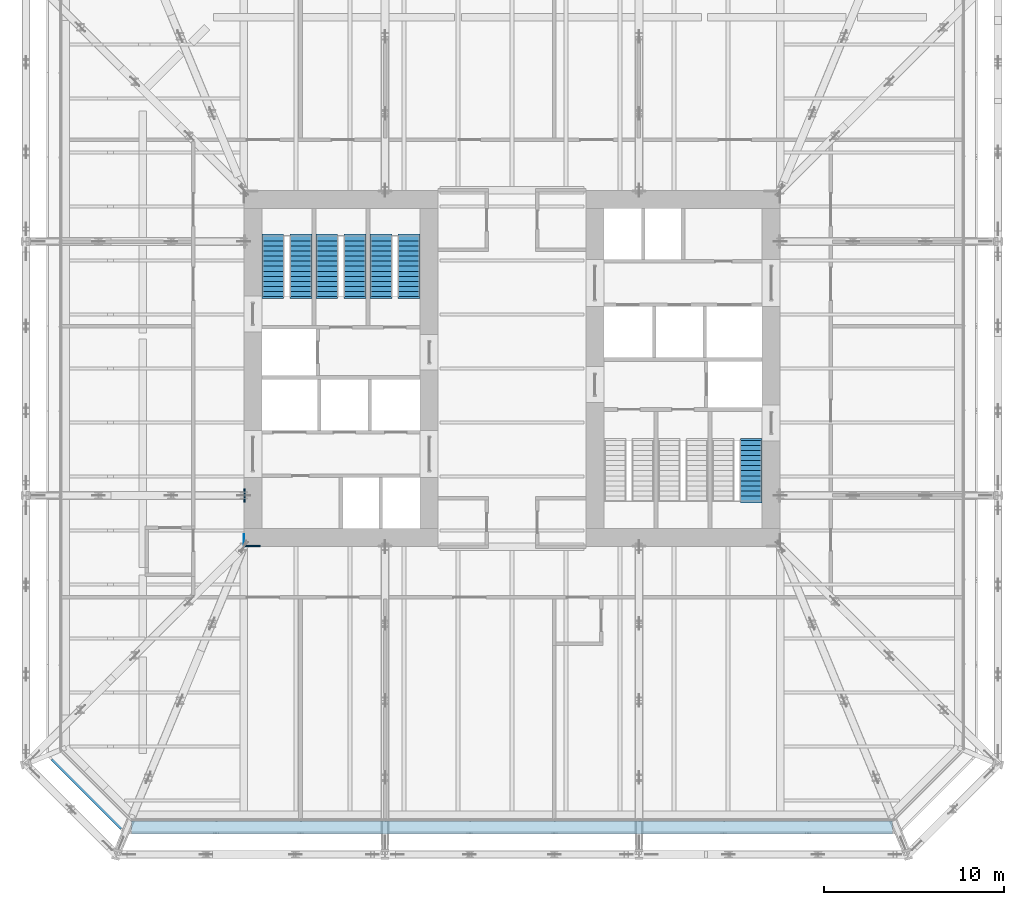
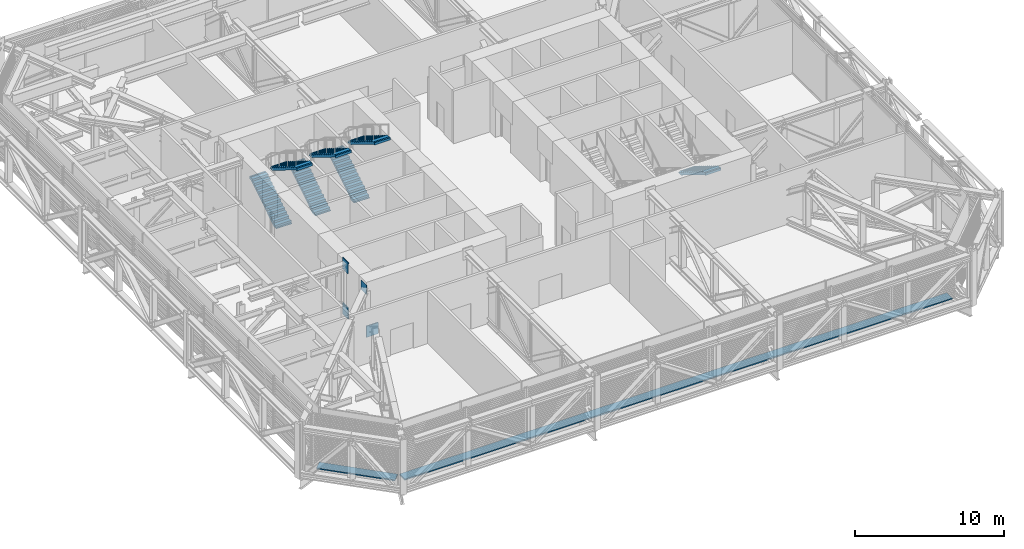
# One storey, part 25 of 33: 7 stair flights, 6 discrete accessories, 4 elements without a shape of their own.
"""IFC4 building model written with IfcOpenShell, lengths in metres."""

from ifc_helpers import new_model, si_unit, direction, frame, origin, origin_2d, place, context, subcontext, project, spatial, polyline, rectangle, outline, extrude, material, layer, layer_set, type_object, element, aggregate, save


model = new_model("IFC4")

# Units and contexts
model_context = context("Model", 3, precision=1e-05, world=origin(), true_north=direction((0.0, 1.0)))
body_context = subcontext(model_context, "Body", "Model", "MODEL_VIEW")
ifc_project = project(units=[si_unit("LENGTHUNIT", "METRE"), si_unit("AREAUNIT", "SQUARE_METRE"), si_unit("VOLUMEUNIT", "CUBIC_METRE"), si_unit("PLANEANGLEUNIT", "RADIAN"), si_unit("MASSUNIT", "GRAM", prefix="KILO")], contexts=[model_context])

# Site, building, storey
site_placement = place(None, origin())
site = spatial("IfcSite", under=ifc_project, at=site_placement, CompositionType="ELEMENT")
building_placement = place(site_placement, origin())
building = spatial("IfcBuilding", under=site, at=building_placement, Name="Millrace Tower", CompositionType="ELEMENT")
storey_placement = place(building_placement, frame((0.0, 0.0, 64.10009765625)))
storey = spatial("IfcBuildingStorey", under=building, at=storey_placement, Name="L14", CompositionType="ELEMENT", Elevation=64.10009765625)

# Stair, stair flights
ifc_material_1 = material(Name="Concrete C35", Category="concrete")
stair_type = type_object("IfcStairType", Name="Exit stair", PredefinedType="HALF_TURN_STAIR", material=ifc_material_1)
placement = place(storey_placement, origin())
stair_1 = element("IfcStair", 1, at=placement, inside=storey, type_object=stair_type, Name="Stair 1 W L14", PredefinedType="HALF_TURN_STAIR")
ifc_material_2 = material(Name="Concrete C35", Category="concrete")
stair_flight_type = type_object("IfcStairFlightType", Name="Exit stair flight", PredefinedType="STRAIGHT", material=ifc_material_2)
stair_flight_1_placement = place(storey_placement, frame((-13.2900390625, 4.0, 0.0), z_axis=(0.0, 0.0, 1.0), x_axis=(0.0, 1.0, 0.0)))
stair_flight_1 = element("IfcStairFlight", 2, at=stair_flight_1_placement, type_object=stair_flight_type, Name="ST12 flight 1", NumberOfRisers=13, NumberOfTreads=12, PredefinedType="STRAIGHT", RiserHeight=0.173076923, TreadLength=0.28, context=body_context, shape_type="SweptSolid", body=[
    extrude(outline(polyline([(-0.1201171875, -0.0400390625), (-0.1201171875, 0.0), (0.0, 0.0), (0.0, 0.173095703125), (0.280029296875, 0.173095703125), (0.280029296875, 0.34619140625), (0.56005859375, 0.34619140625), (0.56005859375, 0.519287109375), (0.840087890625, 0.519287109375), (0.840087890625, 0.6923828125), (1.1201171875, 0.6923828125), (1.1201171875, 0.865478515625), (1.39990234375, 0.865478515625), (1.39990234375, 1.03857421875), (1.679931640625, 1.03857421875), (1.679931640625, 1.21142578125), (1.9599609375, 1.21142578125), (1.9599609375, 1.384521484375), (2.239990234375, 1.384521484375), (2.239990234375, 1.5576171875), (2.52001953125, 1.5576171875), (2.52001953125, 1.730712890625), (2.800048828125, 1.730712890625), (2.800048828125, 1.90380859375), (3.080078125, 1.90380859375), (3.080078125, 2.076904296875), (3.360107421875, 2.076904296875), (3.360107421875, 2.096923828125), (3.47998046875, 2.096923828125), (3.47998046875, 1.900634765625), (3.360107421875, 1.900634765625), (0.28515625, 0.0), (0.28515625, -0.0400390625), (-0.1201171875, -0.0400390625)])), frame((0.0, 0.60986328125, 0.0), z_axis=(0.0, -1.0, 0.0), x_axis=(1.0, 0.0, 0.0)), (0.0, 0.0, 1.0), 1.219970703125),
])
stair_flight_2_placement = place(storey_placement, frame((-11.7099609375, 7.360107421875, 2.25), z_axis=(0.0, 0.0, 1.0), x_axis=(0.0, -1.0, 0.0)))
stair_flight_2 = element("IfcStairFlight", 3, at=stair_flight_2_placement, type_object=stair_flight_type, Name="ST12 flight 2", NumberOfRisers=13, NumberOfTreads=12, PredefinedType="STRAIGHT", RiserHeight=0.173076923, TreadLength=0.28, context=body_context, shape_type="SweptSolid", body=[
    extrude(outline(polyline([(-0.1201171875, -0.0400390625), (-0.1201171875, 0.0), (0.0, 0.0), (0.0, 0.173095703125), (0.280029296875, 0.173095703125), (0.280029296875, 0.34619140625), (0.56005859375, 0.34619140625), (0.56005859375, 0.519287109375), (0.840087890625, 0.519287109375), (0.840087890625, 0.6923828125), (1.1201171875, 0.6923828125), (1.1201171875, 0.865478515625), (1.39990234375, 0.865478515625), (1.39990234375, 1.03857421875), (1.679931640625, 1.03857421875), (1.679931640625, 1.21142578125), (1.9599609375, 1.21142578125), (1.9599609375, 1.384521484375), (2.239990234375, 1.384521484375), (2.239990234375, 1.5576171875), (2.52001953125, 1.5576171875), (2.52001953125, 1.730712890625), (2.800048828125, 1.730712890625), (2.800048828125, 1.90380859375), (3.080078125, 1.90380859375), (3.080078125, 2.076904296875), (3.360107421875, 2.076904296875), (3.360107421875, 2.096923828125), (3.47998046875, 2.096923828125), (3.47998046875, 1.900634765625), (3.360107421875, 1.900634765625), (0.28515625, 0.0), (0.28515625, -0.0400390625), (-0.1201171875, -0.0400390625)])), frame((0.0, 0.60986328125, 0.0), z_axis=(0.0, -1.0, 0.0), x_axis=(1.0, 0.0, 0.0)), (0.0, 0.0, 1.0), 1.219970703125),
])
aggregate(stair_1, [stair_flight_1, stair_flight_2])

stair_2 = element("IfcStair", 4, at=placement, inside=storey, type_object=stair_type, Name="Stair 2 W L14", PredefinedType="HALF_TURN_STAIR")
stair_flight_3_placement = place(storey_placement, frame((-10.2900390625, 4.0, 0.0), z_axis=(0.0, 0.0, 1.0), x_axis=(0.0, 1.0, 0.0)))
stair_flight_3 = element("IfcStairFlight", 5, at=stair_flight_3_placement, type_object=stair_flight_type, Name="ST12 flight 1", NumberOfRisers=13, NumberOfTreads=12, PredefinedType="STRAIGHT", RiserHeight=0.173076923, TreadLength=0.28, context=body_context, shape_type="SweptSolid", body=[
    extrude(outline(polyline([(-0.1201171875, -0.0400390625), (-0.1201171875, 0.0), (0.0, 0.0), (0.0, 0.173095703125), (0.280029296875, 0.173095703125), (0.280029296875, 0.34619140625), (0.56005859375, 0.34619140625), (0.56005859375, 0.519287109375), (0.840087890625, 0.519287109375), (0.840087890625, 0.6923828125), (1.1201171875, 0.6923828125), (1.1201171875, 0.865478515625), (1.39990234375, 0.865478515625), (1.39990234375, 1.03857421875), (1.679931640625, 1.03857421875), (1.679931640625, 1.21142578125), (1.9599609375, 1.21142578125), (1.9599609375, 1.384521484375), (2.239990234375, 1.384521484375), (2.239990234375, 1.5576171875), (2.52001953125, 1.5576171875), (2.52001953125, 1.730712890625), (2.800048828125, 1.730712890625), (2.800048828125, 1.90380859375), (3.080078125, 1.90380859375), (3.080078125, 2.076904296875), (3.360107421875, 2.076904296875), (3.360107421875, 2.096923828125), (3.47998046875, 2.096923828125), (3.47998046875, 1.900634765625), (3.360107421875, 1.900634765625), (0.28515625, 0.0), (0.28515625, -0.0400390625), (-0.1201171875, -0.0400390625)])), frame((0.0, 0.60986328125, 0.0), z_axis=(0.0, -1.0, 0.0), x_axis=(1.0, 0.0, 0.0)), (0.0, 0.0, 1.0), 1.219970703125),
])
stair_flight_4_placement = place(storey_placement, frame((-8.7099609375, 7.360107421875, 2.25), z_axis=(0.0, 0.0, 1.0), x_axis=(0.0, -1.0, 0.0)))
stair_flight_4 = element("IfcStairFlight", 6, at=stair_flight_4_placement, type_object=stair_flight_type, Name="ST12 flight 2", NumberOfRisers=13, NumberOfTreads=12, PredefinedType="STRAIGHT", RiserHeight=0.173076923, TreadLength=0.28, context=body_context, shape_type="SweptSolid", body=[
    extrude(outline(polyline([(-0.1201171875, -0.0400390625), (-0.1201171875, 0.0), (0.0, 0.0), (0.0, 0.173095703125), (0.280029296875, 0.173095703125), (0.280029296875, 0.34619140625), (0.56005859375, 0.34619140625), (0.56005859375, 0.519287109375), (0.840087890625, 0.519287109375), (0.840087890625, 0.6923828125), (1.1201171875, 0.6923828125), (1.1201171875, 0.865478515625), (1.39990234375, 0.865478515625), (1.39990234375, 1.03857421875), (1.679931640625, 1.03857421875), (1.679931640625, 1.21142578125), (1.9599609375, 1.21142578125), (1.9599609375, 1.384521484375), (2.239990234375, 1.384521484375), (2.239990234375, 1.5576171875), (2.52001953125, 1.5576171875), (2.52001953125, 1.730712890625), (2.800048828125, 1.730712890625), (2.800048828125, 1.90380859375), (3.080078125, 1.90380859375), (3.080078125, 2.076904296875), (3.360107421875, 2.076904296875), (3.360107421875, 2.096923828125), (3.47998046875, 2.096923828125), (3.47998046875, 1.900634765625), (3.360107421875, 1.900634765625), (0.28515625, 0.0), (0.28515625, -0.0400390625), (-0.1201171875, -0.0400390625)])), frame((0.0, 0.60986328125, 0.0), z_axis=(0.0, -1.0, 0.0), x_axis=(1.0, 0.0, 0.0)), (0.0, 0.0, 1.0), 1.219970703125),
])
aggregate(stair_2, [stair_flight_3, stair_flight_4])

stair_3 = element("IfcStair", 7, at=placement, inside=storey, type_object=stair_type, Name="Stair 3 W L14", PredefinedType="HALF_TURN_STAIR")
stair_flight_5_placement = place(storey_placement, frame((-7.2900390625, 4.0, 0.0), z_axis=(0.0, 0.0, 1.0), x_axis=(0.0, 1.0, 0.0)))
stair_flight_5 = element("IfcStairFlight", 8, at=stair_flight_5_placement, type_object=stair_flight_type, Name="ST12 flight 1", NumberOfRisers=13, NumberOfTreads=12, PredefinedType="STRAIGHT", RiserHeight=0.173076923, TreadLength=0.28, context=body_context, shape_type="SweptSolid", body=[
    extrude(outline(polyline([(-0.1201171875, -0.0400390625), (-0.1201171875, 0.0), (0.0, 0.0), (0.0, 0.173095703125), (0.280029296875, 0.173095703125), (0.280029296875, 0.34619140625), (0.56005859375, 0.34619140625), (0.56005859375, 0.519287109375), (0.840087890625, 0.519287109375), (0.840087890625, 0.6923828125), (1.1201171875, 0.6923828125), (1.1201171875, 0.865478515625), (1.39990234375, 0.865478515625), (1.39990234375, 1.03857421875), (1.679931640625, 1.03857421875), (1.679931640625, 1.21142578125), (1.9599609375, 1.21142578125), (1.9599609375, 1.384521484375), (2.239990234375, 1.384521484375), (2.239990234375, 1.5576171875), (2.52001953125, 1.5576171875), (2.52001953125, 1.730712890625), (2.800048828125, 1.730712890625), (2.800048828125, 1.90380859375), (3.080078125, 1.90380859375), (3.080078125, 2.076904296875), (3.360107421875, 2.076904296875), (3.360107421875, 2.096923828125), (3.47998046875, 2.096923828125), (3.47998046875, 1.900634765625), (3.360107421875, 1.900634765625), (0.28515625, 0.0), (0.28515625, -0.0400390625), (-0.1201171875, -0.0400390625)])), frame((0.0, 0.60986328125, 0.0), z_axis=(0.0, -1.0, 0.0), x_axis=(1.0, 0.0, 0.0)), (0.0, 0.0, 1.0), 1.219970703125),
])
stair_flight_6_placement = place(storey_placement, frame((-5.7099609375, 7.360107421875, 2.25), z_axis=(0.0, 0.0, 1.0), x_axis=(0.0, -1.0, 0.0)))
stair_flight_6 = element("IfcStairFlight", 9, at=stair_flight_6_placement, type_object=stair_flight_type, Name="ST12 flight 2", NumberOfRisers=13, NumberOfTreads=12, PredefinedType="STRAIGHT", RiserHeight=0.173076923, TreadLength=0.28, context=body_context, shape_type="SweptSolid", body=[
    extrude(outline(polyline([(-0.1201171875, -0.0400390625), (-0.1201171875, 0.0), (0.0, 0.0), (0.0, 0.173095703125), (0.280029296875, 0.173095703125), (0.280029296875, 0.34619140625), (0.56005859375, 0.34619140625), (0.56005859375, 0.519287109375), (0.840087890625, 0.519287109375), (0.840087890625, 0.6923828125), (1.1201171875, 0.6923828125), (1.1201171875, 0.865478515625), (1.39990234375, 0.865478515625), (1.39990234375, 1.03857421875), (1.679931640625, 1.03857421875), (1.679931640625, 1.21142578125), (1.9599609375, 1.21142578125), (1.9599609375, 1.384521484375), (2.239990234375, 1.384521484375), (2.239990234375, 1.5576171875), (2.52001953125, 1.5576171875), (2.52001953125, 1.730712890625), (2.800048828125, 1.730712890625), (2.800048828125, 1.90380859375), (3.080078125, 1.90380859375), (3.080078125, 2.076904296875), (3.360107421875, 2.076904296875), (3.360107421875, 2.096923828125), (3.47998046875, 2.096923828125), (3.47998046875, 1.900634765625), (3.360107421875, 1.900634765625), (0.28515625, 0.0), (0.28515625, -0.0400390625), (-0.1201171875, -0.0400390625)])), frame((0.0, 0.60986328125, 0.0), z_axis=(0.0, -1.0, 0.0), x_axis=(1.0, 0.0, 0.0)), (0.0, 0.0, 1.0), 1.219970703125),
])
aggregate(stair_3, [stair_flight_5, stair_flight_6])

# Stair, stair flight
stair_4 = element("IfcStair", 10, at=placement, inside=storey, type_object=stair_type, Name="Stair 1 E L14", PredefinedType="HALF_TURN_STAIR")
stair_flight_7_placement = place(storey_placement, frame((13.2900390625, -4.0, 0.0), z_axis=(0.0, 0.0, 1.0), x_axis=(0.0, -1.0, 0.0)))
stair_flight_7 = element("IfcStairFlight", 11, at=stair_flight_7_placement, type_object=stair_flight_type, Name="ST12 flight 1", NumberOfRisers=13, NumberOfTreads=12, PredefinedType="STRAIGHT", RiserHeight=0.173076923, TreadLength=0.28, context=body_context, shape_type="SweptSolid", body=[
    extrude(outline(polyline([(-0.1201171875, -0.0400390625), (-0.1201171875, 0.0), (0.0, 0.0), (0.0, 0.173095703125), (0.280029296875, 0.173095703125), (0.280029296875, 0.34619140625), (0.56005859375, 0.34619140625), (0.56005859375, 0.519287109375), (0.840087890625, 0.519287109375), (0.840087890625, 0.6923828125), (1.1201171875, 0.6923828125), (1.1201171875, 0.865478515625), (1.39990234375, 0.865478515625), (1.39990234375, 1.03857421875), (1.679931640625, 1.03857421875), (1.679931640625, 1.21142578125), (1.9599609375, 1.21142578125), (1.9599609375, 1.384521484375), (2.239990234375, 1.384521484375), (2.239990234375, 1.5576171875), (2.52001953125, 1.5576171875), (2.52001953125, 1.730712890625), (2.800048828125, 1.730712890625), (2.800048828125, 1.90380859375), (3.080078125, 1.90380859375), (3.080078125, 2.076904296875), (3.360107421875, 2.076904296875), (3.360107421875, 2.096923828125), (3.47998046875, 2.096923828125), (3.47998046875, 1.900634765625), (3.360107421875, 1.900634765625), (0.28515625, 0.0), (0.28515625, -0.0400390625), (-0.1201171875, -0.0400390625)])), frame((0.0, 0.60986328125, 0.0), z_axis=(0.0, -1.0, 0.0), x_axis=(1.0, 0.0, 0.0)), (0.0, 0.0, 1.0), 1.219970703125),
])
aggregate(stair_4, [stair_flight_7])

# Discrete accessories
ifc_material_3 = material(Name="Steel ASTM A572 Grade 50", Category="steel")
ifc_layer_1 = layer(ifc_material_3, 0.030029296875)
ifc_layer_set_1 = layer_set([ifc_layer_1], Name="Steel ASTM A572 Grade 50")
discrete_accessory_type_1 = type_object("IfcDiscreteAccessoryType", Name="Cast-in anchor plate 705x795x30", PredefinedType="ANCHORPLATE", material=ifc_layer_set_1)
discrete_accessory_1_placement = place(storey_placement, frame((-14.8701171875, -9.547607421875, 3.686767578125), z_axis=(-1.0, 0.0, 0.0), x_axis=(0.0, -1.0, 0.0)))
element("IfcDiscreteAccessory", 12, at=discrete_accessory_1_placement, inside=storey, type_object=discrete_accessory_type_1, Name="Cast-in anchor plate BLT-L14-O01-V00", PredefinedType="ANCHORPLATE", context=body_context, shape_type="SweptSolid", body=[
    extrude(rectangle(XDim=0.705078125, YDim=0.794921875, at=origin_2d()), origin(), (0.0, 0.0, 1.0), 0.02978515625),
])
ifc_material_4 = material(Name="Steel ASTM A572 Grade 50", Category="steel")
ifc_layer_2 = layer(ifc_material_4, 0.080078125)
ifc_layer_set_2 = layer_set([ifc_layer_2], Name="Steel ASTM A572 Grade 50")
discrete_accessory_type_2 = type_object("IfcDiscreteAccessoryType", Name="Cast-in anchor plate 740x915x80", PredefinedType="ANCHORPLATE", material=ifc_layer_set_2)
for number, where, z_axis, x_axis, name in (
    (13, (-14.820068359375, -7.050048828125, 0.25634765625), (-1.0, 0.0, 0.0), (0.0, -1.0, 0.0), "Cast-in anchor plate BLT-L14-O16-B01"),
    (14, (-14.820068359375, -7.050048828125, 3.943359375), (-1.0, 0.0, 0.0), (0.0, -1.0, 0.0), "Cast-in anchor plate BLT-L14-O16-T01"),
):
    element("IfcDiscreteAccessory", number, at=place(storey_placement, frame(where, z_axis=z_axis, x_axis=x_axis)), inside=storey, type_object=discrete_accessory_type_2, Name=name, PredefinedType="ANCHORPLATE", context=body_context, shape_type="SweptSolid", body=[
        extrude(rectangle(XDim=0.739990234375, YDim=0.9150390625, at=origin_2d()), origin(), (0.0, 0.0, 1.0), 0.079833984375),
    ])
ifc_material_5 = material(Name="Steel ASTM A572 Grade 50", Category="steel")
ifc_layer_3 = layer(ifc_material_5, 0.080078125)
ifc_layer_set_3 = layer_set([ifc_layer_3], Name="Steel ASTM A572 Grade 50")
discrete_accessory_type_3 = type_object("IfcDiscreteAccessoryType", Name="Cast-in anchor plate 920x915x80", PredefinedType="ANCHORPLATE", material=ifc_layer_set_3)
discrete_accessory_2_placement = place(storey_placement, frame((-14.43994140625, -9.820068359375, 0.25634765625), z_axis=(0.0, -1.0, 0.0), x_axis=(1.0, 0.0, 0.0)))
element("IfcDiscreteAccessory", 15, at=discrete_accessory_2_placement, inside=storey, type_object=discrete_accessory_type_3, Name="Cast-in anchor plate BLT-L14-O01-B01", PredefinedType="ANCHORPLATE", context=body_context, shape_type="SweptSolid", body=[
    extrude(rectangle(XDim=0.919921875, YDim=0.9150390625, at=origin_2d()), origin(), (0.0, 0.0, 1.0), 0.079833984375),
])
ifc_material_6 = material(Name="Stainless steel ASTM A240 type 316", Category="steel")
discrete_accessory_type_4 = type_object("IfcDiscreteAccessoryType", Name="Thermally broken screen support rail", PredefinedType="BRACKET", material=ifc_material_6)
discrete_accessory_3_placement = place(storey_placement, frame((-23.435546875, -23.435546875, -0.000244140625), z_axis=(0.0, 0.0, 1.0), x_axis=(0.707106781187, -0.707106781187, 0.0)))
element("IfcDiscreteAccessory", 16, at=discrete_accessory_3_placement, inside=storey, type_object=discrete_accessory_type_4, Name="Thermally broken screen support rail A-F01 L14 1", PredefinedType="BRACKET", context=body_context, shape_type="SweptSolid", body=[
    extrude(rectangle(XDim=5.44482421875, YDim=0.719970703125, at=origin_2d()), origin(), (0.0, 0.0, 1.0), 0.10009765625),
])
discrete_accessory_4_placement = place(storey_placement, frame((0.0, -25.510009765625, -0.000244140625), z_axis=(0.0, 0.0, 1.0), x_axis=(1.0, 0.0, 0.0)))
element("IfcDiscreteAccessory", 17, at=discrete_accessory_4_placement, inside=storey, type_object=discrete_accessory_type_4, Name="Thermally broken screen support rail A-F02 L14 1", PredefinedType="BRACKET", context=body_context, shape_type="SweptSolid", body=[
    extrude(rectangle(XDim=42.300048828125, YDim=0.719970703125, at=origin_2d()), origin(), (0.0, 0.0, 1.0), 0.10009765625),
])

save(model, "model.ifc")
